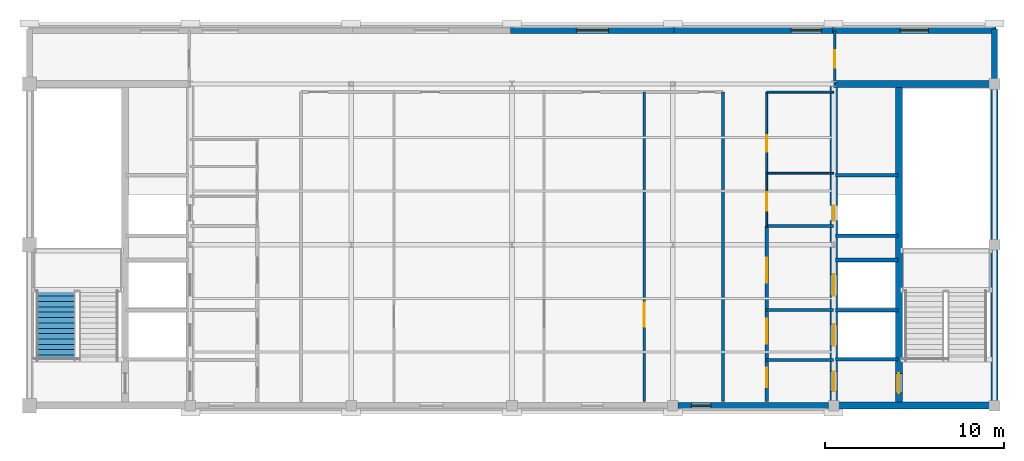
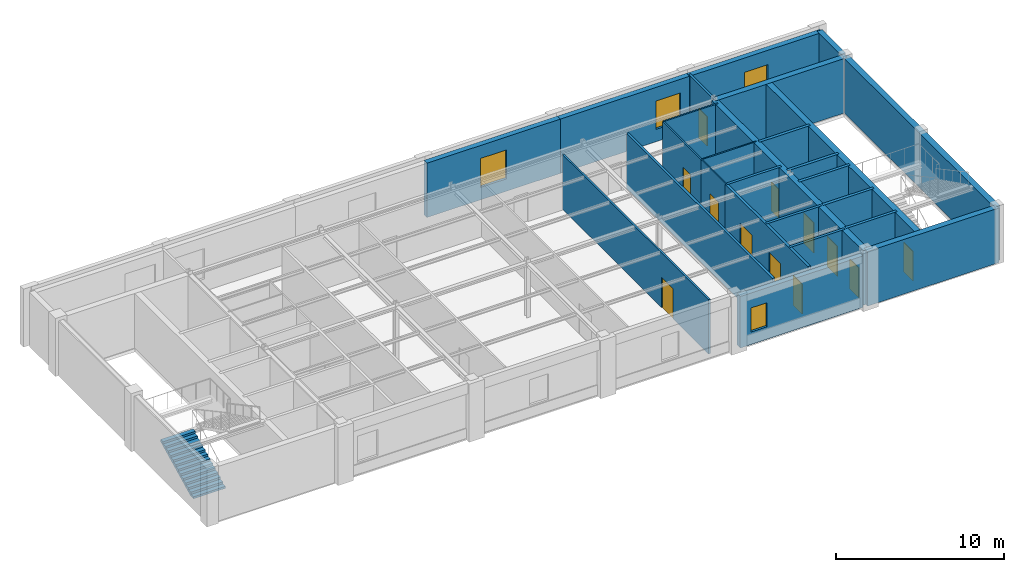
# One storey, part 5 of 7: 26 walls, 12 doors, 4 windows, 1 stair flight, 16 openings, 1 element without a shape of its own.
"""IFC4 building model written with IfcOpenShell, lengths in metres."""

from ifc_helpers import new_model, si_unit, direction, frame, frame_2d, origin, place, context, subcontext, project, spatial, polyline, rectangle, outline, extrude, material, layer, layer_set, type_object, element, fill, aggregate, save


model = new_model("IFC4")

# Units and contexts
model_context = context("Model", 3, precision=1e-05, world=origin(), true_north=direction((0.0, 1.0)))
body_context = subcontext(model_context, "Body", "Model", "MODEL_VIEW")
ifc_project = project(units=[si_unit("LENGTHUNIT", "METRE"), si_unit("AREAUNIT", "SQUARE_METRE"), si_unit("VOLUMEUNIT", "CUBIC_METRE"), si_unit("PLANEANGLEUNIT", "RADIAN"), si_unit("MASSUNIT", "GRAM", prefix="KILO")], contexts=[model_context])

# Site, building, storey
site_placement = place(None, origin())
site = spatial("IfcSite", under=ifc_project, at=site_placement, CompositionType="ELEMENT")
building_placement = place(site_placement, origin())
building = spatial("IfcBuilding", under=site, at=building_placement, Name="Lykobir Media Centre", CompositionType="ELEMENT")
storey_placement = place(building_placement, frame((0.0, 0.0, 31.800048828125)))
storey = spatial("IfcBuildingStorey", under=building, at=storey_placement, Name="L07", CompositionType="ELEMENT", Elevation=31.800048828125)

# Wall
ifc_material_1 = material(Name="Architectural Ochre Brick", Category="masonry")
ifc_layer_1 = layer(ifc_material_1, 0.360107421875, Name="Architectural Ochre Brick")
ifc_layer_set_1 = layer_set([ifc_layer_1], Name="Architectural Ochre Brick")
wall_type_1 = type_object("IfcWallType", Name="EW-BRK-360", PredefinedType="STANDARD", material=ifc_layer_set_1)
wall_1_placement = place(storey_placement, frame((81.0, 18.284912109375, 0.0), z_axis=(0.0, 0.0, 1.0), x_axis=(0.0, 1.0, 0.0)))
element("IfcWall", 1, at=wall_1_placement, inside=storey, type_object=wall_type_1, Name="Exterior wall WALL-L07-0360", PredefinedType="STANDARD", context=body_context, shape_type="SweptSolid", body=[
    extrude(rectangle(XDim=2.7900390625, YDim=0.360107421875, at=frame_2d((1.39501953125, 0.0))), origin(), (0.0, 0.0, 1.0), 3.93994140625),
])

# Wall, opening, window
wall_2_placement = place(storey_placement, frame((63.074951171875, 21.0, 0.0), z_axis=(0.0, 0.0, 1.0), x_axis=(-1.0, 0.0, 0.0)))
wall_2 = element("IfcWall", 2, at=wall_2_placement, inside=storey, type_object=wall_type_1, Name="Exterior wall WALL-L07-0364", PredefinedType="STANDARD", context=body_context, shape_type="SweptSolid", body=[
    extrude(rectangle(XDim=9.14990234375, YDim=0.360107421875, at=frame_2d((4.574951171875, 0.0))), origin(), (0.0, 0.0, 1.0), 3.93994140625),
])
opening_1_placement = place(wall_2_placement, frame((3.675048828125, 0.0, 0.89990234375)))
opening_1 = element("IfcOpeningElement", 3, at=opening_1_placement, cuts=wall_2, Name="Opening WN-1800x2100", PredefinedType="OPENING", context=body_context, shape_type="SweptSolid", body=[
    extrude(rectangle(XDim=1.800048828125, YDim=2.10009765625, at=frame_2d((0.89990234375, 1.050048828125))), frame((0.0, 0.18994140625, 0.0), z_axis=(0.0, -1.0, 0.0), x_axis=(1.0, 0.0, 0.0)), (0.0, 0.0, 1.0), 0.380126953125),
])
ifc_material_2 = material(Name="Low-E Laminated Triple Glazing", Category="glass")
window_type_1 = type_object("IfcWindowType", Name="WN-1800x2100", PartitioningType="SINGLE_PANEL", PredefinedType="WINDOW", material=ifc_material_2)
window_1_placement = place(opening_1_placement, origin())
window_1 = element("IfcWindow", 4, at=window_1_placement, inside=storey, type_object=window_type_1, Name="Window WIN-L07-0166", OverallHeight=2.10009765625, OverallWidth=1.800048828125, PartitioningType="SINGLE_PANEL", PredefinedType="WINDOW", context=body_context, shape_type="SweptSolid", body=[
    extrude(rectangle(XDim=1.800048828125, YDim=2.10009765625, at=frame_2d((0.89990234375, 1.050048828125))), frame((0.0, 0.030029296875, 0.0), z_axis=(0.0, -1.0, 0.0), x_axis=(1.0, 0.0, 0.0)), (0.0, 0.0, 1.0), 0.06005859375),
])
fill(opening_1, window_1)

wall_3_placement = place(storey_placement, frame((72.074951171875, 21.0, 0.0), z_axis=(0.0, 0.0, 1.0), x_axis=(-1.0, 0.0, 0.0)))
wall_3 = element("IfcWall", 5, at=wall_3_placement, inside=storey, type_object=wall_type_1, Name="Exterior wall WALL-L07-0365", PredefinedType="STANDARD", context=body_context, shape_type="SweptSolid", body=[
    extrude(rectangle(XDim=9.14990234375, YDim=0.360107421875, at=frame_2d((4.574951171875, 0.0))), origin(), (0.0, 0.0, 1.0), 3.93994140625),
])
opening_2_placement = place(wall_3_placement, frame((0.75, 0.0, 0.89990234375)))
opening_2 = element("IfcOpeningElement", 6, at=opening_2_placement, cuts=wall_3, Name="Opening WN-1700x2050", PredefinedType="OPENING", context=body_context, shape_type="SweptSolid", body=[
    extrude(rectangle(XDim=1.699951171875, YDim=2.050048828125, at=frame_2d((0.85009765625, 1.02490234375))), frame((0.0, 0.18994140625, 0.0), z_axis=(0.0, -1.0, 0.0), x_axis=(1.0, 0.0, 0.0)), (0.0, 0.0, 1.0), 0.380126953125),
])
window_type_2 = type_object("IfcWindowType", Name="WN-1700x2050", PartitioningType="SINGLE_PANEL", PredefinedType="WINDOW", material=ifc_material_2)
window_2_placement = place(opening_2_placement, origin())
window_2 = element("IfcWindow", 7, at=window_2_placement, inside=storey, type_object=window_type_2, Name="Window WIN-L07-0167", OverallHeight=2.050048828125, OverallWidth=1.699951171875, PartitioningType="SINGLE_PANEL", PredefinedType="WINDOW", context=body_context, shape_type="SweptSolid", body=[
    extrude(rectangle(XDim=1.699951171875, YDim=2.050048828125, at=frame_2d((0.85009765625, 1.02490234375))), frame((0.0, 0.030029296875, 0.0), z_axis=(0.0, -1.0, 0.0), x_axis=(1.0, 0.0, 0.0)), (0.0, 0.0, 1.0), 0.06005859375),
])
fill(opening_2, window_2)

wall_4_placement = place(storey_placement, frame((81.074951171875, 21.0, 0.0), z_axis=(0.0, 0.0, 1.0), x_axis=(-1.0, 0.0, 0.0)))
wall_4 = element("IfcWall", 8, at=wall_4_placement, inside=storey, type_object=wall_type_1, Name="Exterior wall WALL-L07-0366", PredefinedType="STANDARD", context=body_context, shape_type="SweptSolid", body=[
    extrude(rectangle(XDim=9.14990234375, YDim=0.360107421875, at=frame_2d((4.574951171875, 0.0))), origin(), (0.0, 0.0, 1.0), 3.93994140625),
])
opening_3_placement = place(wall_4_placement, frame((3.77490234375, 0.0, 0.89990234375)))
opening_3 = element("IfcOpeningElement", 9, at=opening_3_placement, cuts=wall_4, Name="Opening WN-1600x2000", PredefinedType="OPENING", context=body_context, shape_type="SweptSolid", body=[
    extrude(rectangle(XDim=1.60009765625, YDim=2.0, at=frame_2d((0.800048828125, 1.0))), frame((0.0, 0.18994140625, 0.0), z_axis=(0.0, -1.0, 0.0), x_axis=(1.0, 0.0, 0.0)), (0.0, 0.0, 1.0), 0.380126953125),
])
window_type_3 = type_object("IfcWindowType", Name="WN-1600x2000", PartitioningType="SINGLE_PANEL", PredefinedType="WINDOW", material=ifc_material_2)
window_3_placement = place(opening_3_placement, origin())
window_3 = element("IfcWindow", 10, at=window_3_placement, inside=storey, type_object=window_type_3, Name="Window WIN-L07-0168", OverallHeight=2.0, OverallWidth=1.60009765625, PartitioningType="SINGLE_PANEL", PredefinedType="WINDOW", context=body_context, shape_type="SweptSolid", body=[
    extrude(rectangle(XDim=1.60009765625, YDim=2.0, at=frame_2d((0.800048828125, 1.0))), frame((0.0, 0.030029296875, 0.0), z_axis=(0.0, -1.0, 0.0), x_axis=(1.0, 0.0, 0.0)), (0.0, 0.0, 1.0), 0.06005859375),
])
fill(opening_3, window_3)

wall_5_placement = place(storey_placement, frame((63.284912109375, 0.0, 0.0), z_axis=(0.0, 0.0, 1.0), x_axis=(1.0, 0.0, 0.0)))
wall_5 = element("IfcWall", 11, at=wall_5_placement, inside=storey, type_object=wall_type_1, Name="Exterior wall WALL-L07-0371", PredefinedType="STANDARD", context=body_context, shape_type="SweptSolid", body=[
    extrude(rectangle(XDim=8.43017578125, YDim=0.360107421875, at=frame_2d((4.215087890625, 0.0))), origin(), (0.0, 0.0, 1.0), 3.73486328125),
])
opening_4_placement = place(wall_5_placement, frame((0.75, 0.0, 0.89990234375)))
opening_4 = element("IfcOpeningElement", 12, at=opening_4_placement, cuts=wall_5, Name="Opening WN-1100x1750", PredefinedType="OPENING", context=body_context, shape_type="SweptSolid", body=[
    extrude(rectangle(XDim=1.10009765625, YDim=1.75, at=frame_2d((0.550048828125, 0.875))), frame((0.0, 0.18994140625, 0.0), z_axis=(0.0, -1.0, 0.0), x_axis=(1.0, 0.0, 0.0)), (0.0, 0.0, 1.0), 0.380126953125),
])
window_type_4 = type_object("IfcWindowType", Name="WN-1100x1750", PartitioningType="SINGLE_PANEL", PredefinedType="WINDOW", material=ifc_material_2)
window_4_placement = place(opening_4_placement, origin())
window_4 = element("IfcWindow", 13, at=window_4_placement, inside=storey, type_object=window_type_4, Name="Window WIN-L07-0172", OverallHeight=1.75, OverallWidth=1.10009765625, PartitioningType="SINGLE_PANEL", PredefinedType="WINDOW", context=body_context, shape_type="SweptSolid", body=[
    extrude(rectangle(XDim=1.10009765625, YDim=1.75, at=frame_2d((0.550048828125, 0.875))), frame((0.0, 0.030029296875, 0.0), z_axis=(0.0, -1.0, 0.0), x_axis=(1.0, 0.0, 0.0)), (0.0, 0.0, 1.0), 0.06005859375),
])
fill(opening_4, window_4)

# Wall, opening, door
ifc_material_3 = material(Name="Acoustic Gypsum Board", Category="gypsum")
ifc_layer_2 = layer(ifc_material_3, 0.14501953125, Name="Acoustic Gypsum Board")
ifc_layer_set_2 = layer_set([ifc_layer_2], Name="Acoustic Gypsum Board")
wall_type_2 = type_object("IfcWallType", Name="IW-COR-145", PredefinedType="PARTITIONING", material=ifc_layer_set_2)
wall_6_placement = place(storey_placement, frame((72.050048828125, 18.0, 0.0), z_axis=(0.0, 0.0, 1.0), x_axis=(0.0, 1.0, 0.0)))
wall_6 = element("IfcWall", 14, at=wall_6_placement, inside=storey, type_object=wall_type_2, Name="Wall IWALL-L07-0787", PredefinedType="PARTITIONING", context=body_context, shape_type="SweptSolid", body=[
    extrude(rectangle(XDim=3.0, YDim=0.14501953125, at=frame_2d((1.5, 0.0))), origin(), (0.0, 0.0, 1.0), 3.9599609375),
])
opening_5_placement = place(wall_6_placement, frame((0.89990234375, 0.0, 0.0)))
opening_5 = element("IfcOpeningElement", 15, at=opening_5_placement, cuts=wall_6, Name="Opening D-L07-ENDE", PredefinedType="OPENING", context=body_context, shape_type="SweptSolid", body=[
    extrude(rectangle(XDim=1.0, YDim=2.139892578125, at=frame_2d((0.5, 1.06982421875))), frame((0.0, 0.08251953125, 0.0), z_axis=(0.0, -1.0, 0.0), x_axis=(1.0, 0.0, 0.0)), (0.0, 0.0, 1.0), 0.1650390625),
])
ifc_material_4 = material(Name="Acoustic Timber Panelling", Category="wood")
door_type_1 = type_object("IfcDoorType", Name="FD-1000x2140", OperationType="NOTDEFINED", PredefinedType="DOOR", material=ifc_material_4)
door_1_placement = place(opening_5_placement, origin())
door_1 = element("IfcDoor", 16, at=door_1_placement, inside=storey, type_object=door_type_1, Name="Door D-L07-ENDE", OperationType="SINGLE_SWING_LEFT", OverallHeight=2.139892578125, OverallWidth=1.0, PredefinedType="DOOR", context=body_context, shape_type="SweptSolid", body=[
    extrude(rectangle(XDim=1.0, YDim=2.139892578125, at=frame_2d((0.5, 1.06982421875))), frame((0.0, 0.02490234375, 0.0), z_axis=(0.0, -1.0, 0.0), x_axis=(1.0, 0.0, 0.0)), (0.0, 0.0, 1.0), 0.050048828125),
])
fill(opening_5, door_1)

# Wall
ifc_layer_3 = layer(ifc_material_3, 0.159912109375, Name="Acoustic Gypsum Board")
ifc_layer_set_3 = layer_set([ifc_layer_3], Name="Acoustic Gypsum Board")
wall_type_3 = type_object("IfcWallType", Name="IW-COR-160", PredefinedType="PARTITIONING", material=ifc_layer_set_3)
wall_7_placement = place(storey_placement, frame((65.800048828125, 0.219970703125, 0.0), z_axis=(0.0, 0.0, 1.0), x_axis=(0.0, 1.0, 0.0)))
element("IfcWall", 17, at=wall_7_placement, inside=storey, type_object=wall_type_3, Name="Wall IWALL-L07-0782", PredefinedType="PARTITIONING", context=body_context, shape_type="SweptSolid", body=[
    extrude(rectangle(XDim=17.330078125, YDim=0.159912109375, at=frame_2d((8.6650390625, 0.0))), origin(), (0.0, 0.0, 1.0), 3.9599609375),
])

# Wall, openings, doors
ifc_layer_4 = layer(ifc_material_3, 0.179931640625, Name="Acoustic Gypsum Board")
ifc_layer_set_4 = layer_set([ifc_layer_4], Name="Acoustic Gypsum Board")
wall_type_4 = type_object("IfcWallType", Name="IW-FFLOB-180", PredefinedType="PARTITIONING", material=ifc_layer_set_4)
wall_8_placement = place(storey_placement, frame((68.25, 0.219970703125, 0.0), z_axis=(0.0, 0.0, 1.0), x_axis=(0.0, 1.0, 0.0)))
wall_8 = element("IfcWall", 18, at=wall_8_placement, inside=storey, type_object=wall_type_4, Name="Wall IWALL-L07-0321", PredefinedType="PARTITIONING", context=body_context, shape_type="SweptSolid", body=[
    extrude(rectangle(XDim=9.830078125, YDim=0.179931640625, at=frame_2d((4.9150390625, 0.0))), origin(), (0.0, 0.0, 1.0), 3.9599609375),
])
opening_6_placement = place(wall_8_placement, frame((0.800048828125, 0.0, 0.0)))
opening_6 = element("IfcOpeningElement", 19, at=opening_6_placement, cuts=wall_8, Name="Opening D-L07-C2LV", PredefinedType="OPENING", context=body_context, shape_type="SweptSolid", body=[
    extrude(rectangle(XDim=1.10009765625, YDim=2.159912109375, at=frame_2d((0.550048828125, 1.080078125))), frame((0.0, 0.099853515625, 0.0), z_axis=(0.0, -1.0, 0.0), x_axis=(1.0, 0.0, 0.0)), (0.0, 0.0, 1.0), 0.199951171875),
])
opening_7_placement = place(wall_8_placement, frame((3.25, 0.0, 0.0)))
opening_7 = element("IfcOpeningElement", 20, at=opening_7_placement, cuts=wall_8, Name="Opening D-L07-C2PL", PredefinedType="OPENING", context=body_context, shape_type="SweptSolid", body=[
    extrude(rectangle(XDim=1.39990234375, YDim=2.199951171875, at=frame_2d((0.699951171875, 1.10009765625))), frame((0.0, 0.099853515625, 0.0), z_axis=(0.0, -1.0, 0.0), x_axis=(1.0, 0.0, 0.0)), (0.0, 0.0, 1.0), 0.199951171875),
])
opening_8_placement = place(wall_8_placement, frame((6.64990234375, 0.0, 0.0)))
opening_8 = element("IfcOpeningElement", 21, at=opening_8_placement, cuts=wall_8, Name="Opening D-L07-C2FF", PredefinedType="OPENING", context=body_context, shape_type="SweptSolid", body=[
    extrude(rectangle(XDim=1.39990234375, YDim=2.199951171875, at=frame_2d((0.699951171875, 1.10009765625))), frame((0.0, 0.099853515625, 0.0), z_axis=(0.0, -1.0, 0.0), x_axis=(1.0, 0.0, 0.0)), (0.0, 0.0, 1.0), 0.199951171875),
])
door_type_2 = type_object("IfcDoorType", Name="FD-1100x2160", OperationType="NOTDEFINED", PredefinedType="DOOR", material=ifc_material_4)
door_2_placement = place(opening_6_placement, origin())
door_2 = element("IfcDoor", 22, at=door_2_placement, inside=storey, type_object=door_type_2, Name="Door D-L07-C2LV", OperationType="SINGLE_SWING_LEFT", OverallHeight=2.159912109375, OverallWidth=1.10009765625, PredefinedType="DOOR", context=body_context, shape_type="SweptSolid", body=[
    extrude(rectangle(XDim=1.10009765625, YDim=2.159912109375, at=frame_2d((0.550048828125, 1.080078125))), frame((0.0, 0.02490234375, 0.0), z_axis=(0.0, -1.0, 0.0), x_axis=(1.0, 0.0, 0.0)), (0.0, 0.0, 1.0), 0.050048828125),
])
fill(opening_6, door_2)
door_type_3 = type_object("IfcDoorType", Name="FD-1400x2200", OperationType="NOTDEFINED", PredefinedType="DOOR", material=ifc_material_4)
door_3_placement = place(opening_7_placement, origin())
door_3 = element("IfcDoor", 23, at=door_3_placement, inside=storey, type_object=door_type_3, Name="Door D-L07-C2PL", OperationType="DOUBLE_DOOR_SINGLE_SWING", OverallHeight=2.199951171875, OverallWidth=1.39990234375, PredefinedType="DOOR", context=body_context, shape_type="SweptSolid", body=[
    extrude(rectangle(XDim=1.39990234375, YDim=2.199951171875, at=frame_2d((0.699951171875, 1.10009765625))), frame((0.0, 0.02490234375, 0.0), z_axis=(0.0, -1.0, 0.0), x_axis=(1.0, 0.0, 0.0)), (0.0, 0.0, 1.0), 0.050048828125),
])
fill(opening_7, door_3)
door_4_placement = place(opening_8_placement, origin())
door_4 = element("IfcDoor", 24, at=door_4_placement, inside=storey, type_object=door_type_3, Name="Door D-L07-C2FF", OperationType="DOUBLE_DOOR_SINGLE_SWING", OverallHeight=2.199951171875, OverallWidth=1.39990234375, PredefinedType="DOOR", context=body_context, shape_type="SweptSolid", body=[
    extrude(rectangle(XDim=1.39990234375, YDim=2.199951171875, at=frame_2d((0.699951171875, 1.10009765625))), frame((0.0, 0.02490234375, 0.0), z_axis=(0.0, -1.0, 0.0), x_axis=(1.0, 0.0, 0.0)), (0.0, 0.0, 1.0), 0.050048828125),
])
fill(opening_8, door_4)

# Walls
for number, where, z_axis, x_axis, name in (
    (25, (68.25, 2.550048828125, 0.0), (0.0, 0.0, 1.0), (1.0, 0.0, 0.0), "Wall IWALL-L07-0322"),
    (26, (68.25, 5.35009765625, 0.0), (0.0, 0.0, 1.0), (1.0, 0.0, 0.0), "Wall IWALL-L07-0323"),
    (27, (68.25, 10.050048828125, 0.0), (0.0, 0.0, 1.0), (1.0, 0.0, 0.0), "Wall IWALL-L07-0324"),
):
    element("IfcWall", number, at=place(storey_placement, frame(where, z_axis=z_axis, x_axis=x_axis)), inside=storey, type_object=wall_type_4, Name=name, PredefinedType="PARTITIONING", context=body_context, shape_type="SweptSolid", body=[
        extrude(rectangle(XDim=3.75, YDim=0.179931640625, at=frame_2d((1.875, 0.0))), origin(), (0.0, 0.0, 1.0), 3.9599609375),
    ])

# Wall, opening, door
ifc_layer_5 = layer(ifc_material_3, 0.110107421875, Name="Acoustic Gypsum Board")
ifc_layer_set_5 = layer_set([ifc_layer_5], Name="Acoustic Gypsum Board")
wall_type_5 = type_object("IfcWallType", Name="IW-RM-110", PredefinedType="PARTITIONING", material=ifc_layer_set_5)
wall_9_placement = place(storey_placement, frame((68.25, 13.0, 0.0), z_axis=(0.0, 0.0, 1.0), x_axis=(0.0, 1.0, 0.0)))
wall_9 = element("IfcWall", 28, at=wall_9_placement, inside=storey, type_object=wall_type_5, Name="Wall IWALL-L07-0788", PredefinedType="PARTITIONING", context=body_context, shape_type="SweptSolid", body=[
    extrude(rectangle(XDim=4.550048828125, YDim=0.110107421875, at=frame_2d((2.27490234375, 0.0))), origin(), (0.0, 0.0, 1.0), 3.9599609375),
])
opening_9_placement = place(wall_9_placement, frame((1.199951171875, 0.0, 0.0)))
opening_9 = element("IfcOpeningElement", 29, at=opening_9_placement, cuts=wall_9, Name="Opening D-L07-UP5", PredefinedType="OPENING", context=body_context, shape_type="SweptSolid", body=[
    extrude(rectangle(XDim=0.919921875, YDim=2.10009765625, at=frame_2d((0.4599609375, 1.050048828125))), frame((0.0, 0.06494140625, 0.0), z_axis=(0.0, -1.0, 0.0), x_axis=(1.0, 0.0, 0.0)), (0.0, 0.0, 1.0), 0.130126953125),
])
door_type_4 = type_object("IfcDoorType", Name="ID-0920x2100", OperationType="NOTDEFINED", PredefinedType="DOOR", material=ifc_material_4)
door_5_placement = place(opening_9_placement, origin())
door_5 = element("IfcDoor", 30, at=door_5_placement, inside=storey, type_object=door_type_4, Name="Door D-L07-UP5", OperationType="SINGLE_SWING_RIGHT", OverallHeight=2.10009765625, OverallWidth=0.919921875, PredefinedType="DOOR", context=body_context, shape_type="SweptSolid", body=[
    extrude(rectangle(XDim=0.919921875, YDim=2.10009765625, at=frame_2d((0.4599609375, 1.050048828125))), frame((0.0, 0.02490234375, 0.0), z_axis=(0.0, -1.0, 0.0), x_axis=(1.0, 0.0, 0.0)), (0.0, 0.0, 1.0), 0.050048828125),
])
fill(opening_9, door_5)

# Wall
wall_10_placement = place(storey_placement, frame((68.25, 17.550048828125, 0.0), z_axis=(0.0, 0.0, 1.0), x_axis=(1.0, 0.0, 0.0)))
element("IfcWall", 31, at=wall_10_placement, inside=storey, type_object=wall_type_5, Name="Wall IWALL-L07-0789", PredefinedType="PARTITIONING", context=body_context, shape_type="SweptSolid", body=[
    extrude(rectangle(XDim=3.75, YDim=0.110107421875, at=frame_2d((1.875, 0.0))), origin(), (0.0, 0.0, 1.0), 3.9599609375),
])

# Wall, opening, door
ifc_layer_6 = layer(ifc_material_3, 0.125, Name="Acoustic Gypsum Board")
ifc_layer_set_6 = layer_set([ifc_layer_6], Name="Acoustic Gypsum Board")
wall_type_6 = type_object("IfcWallType", Name="IW-RM-125", PredefinedType="PARTITIONING", material=ifc_layer_set_6)
wall_11_placement = place(storey_placement, frame((61.39990234375, 0.219970703125, 0.0), z_axis=(0.0, 0.0, 1.0), x_axis=(0.0, 1.0, 0.0)))
wall_11 = element("IfcWall", 32, at=wall_11_placement, inside=storey, type_object=wall_type_6, Name="Wall IWALL-L07-0785", PredefinedType="PARTITIONING", context=body_context, shape_type="SweptSolid", body=[
    extrude(rectangle(XDim=17.330078125, YDim=0.125, at=frame_2d((8.6650390625, 0.0))), origin(), (0.0, 0.0, 1.0), 3.9599609375),
])
opening_10_placement = place(wall_11_placement, frame((4.199951171875, 0.0, 0.0)))
opening_10 = element("IfcOpeningElement", 33, at=opening_10_placement, cuts=wall_11, Name="Opening D-L07-V7S3", PredefinedType="OPENING", context=body_context, shape_type="SweptSolid", body=[
    extrude(rectangle(XDim=1.35009765625, YDim=2.179931640625, at=frame_2d((0.675048828125, 1.08984375))), frame((0.0, 0.072509765625, 0.0), z_axis=(0.0, -1.0, 0.0), x_axis=(1.0, 0.0, 0.0)), (0.0, 0.0, 1.0), 0.14501953125),
])
door_type_5 = type_object("IfcDoorType", Name="ID-1350x2180", OperationType="NOTDEFINED", PredefinedType="DOOR", material=ifc_material_4)
door_6_placement = place(opening_10_placement, origin())
door_6 = element("IfcDoor", 34, at=door_6_placement, inside=storey, type_object=door_type_5, Name="Door D-L07-V7S3", OperationType="SINGLE_SWING_RIGHT", OverallHeight=2.179931640625, OverallWidth=1.35009765625, PredefinedType="DOOR", context=body_context, shape_type="SweptSolid", body=[
    extrude(rectangle(XDim=1.35009765625, YDim=2.179931640625, at=frame_2d((0.675048828125, 1.08984375))), frame((0.0, 0.02490234375, 0.0), z_axis=(0.0, -1.0, 0.0), x_axis=(1.0, 0.0, 0.0)), (0.0, 0.0, 1.0), 0.050048828125),
])
fill(opening_10, door_6)

# Walls
ifc_material_5 = material(Name="Concrete C30/37", Category="concrete")
ifc_layer_7 = layer(ifc_material_5, 0.199951171875, Name="Concrete C30/37")
ifc_layer_set_7 = layer_set([ifc_layer_7], Name="Concrete C30/37")
wall_type_7 = type_object("IfcWallType", Name="IW-SHAFT-200", PredefinedType="PARTITIONING", material=ifc_layer_set_7)
for number, where, z_axis, x_axis, name in (
    (35, (72.10009765625, 2.60009765625, 0.0), (0.0, 0.0, 1.0), (1.0, 0.0, 0.0), "Wall IWALL-L07-0316"),
    (36, (72.10009765625, 5.35009765625, 0.0), (0.0, 0.0, 1.0), (1.0, 0.0, 0.0), "Wall IWALL-L07-0317"),
    (37, (72.10009765625, 8.14990234375, 0.0), (0.0, 0.0, 1.0), (1.0, 0.0, 0.0), "Wall IWALL-L07-0318"),
    (38, (72.10009765625, 9.5, 0.0), (0.0, 0.0, 1.0), (1.0, 0.0, 0.0), "Wall IWALL-L07-0319"),
    (39, (72.10009765625, 12.89990234375, 0.0), (0.0, 0.0, 1.0), (1.0, 0.0, 0.0), "Wall IWALL-L07-0320"),
):
    element("IfcWall", number, at=place(storey_placement, frame(where, z_axis=z_axis, x_axis=x_axis)), inside=storey, type_object=wall_type_7, Name=name, PredefinedType="PARTITIONING", context=body_context, shape_type="SweptSolid", body=[
        extrude(rectangle(XDim=3.5, YDim=0.199951171875, at=frame_2d((1.75, 0.0))), origin(), (0.0, 0.0, 1.0), 3.9599609375),
    ])

# Wall, opening, door
ifc_layer_8 = layer(ifc_material_3, 0.094970703125, Name="Acoustic Gypsum Board")
ifc_layer_set_8 = layer_set([ifc_layer_8], Name="Acoustic Gypsum Board")
wall_type_8 = type_object("IfcWallType", Name="IW-WC-095", PredefinedType="PARTITIONING", material=ifc_layer_set_8)
wall_12_placement = place(storey_placement, frame((68.25, 10.050048828125, 0.0), z_axis=(0.0, 0.0, 1.0), x_axis=(0.0, 1.0, 0.0)))
wall_12 = element("IfcWall", 40, at=wall_12_placement, inside=storey, type_object=wall_type_8, Name="Wall IWALL-L07-0325", PredefinedType="PARTITIONING", context=body_context, shape_type="SweptSolid", body=[
    extrude(rectangle(XDim=2.949951171875, YDim=0.094970703125, at=frame_2d((1.47509765625, 0.0))), origin(), (0.0, 0.0, 1.0), 3.9599609375),
])
opening_11_placement = place(wall_12_placement, frame((0.85009765625, 0.0, 0.0)))
opening_11 = element("IfcOpeningElement", 41, at=opening_11_placement, cuts=wall_12, Name="Opening D-L07-WCA2", PredefinedType="OPENING", context=body_context, shape_type="SweptSolid", body=[
    extrude(rectangle(XDim=1.050048828125, YDim=2.1298828125, at=frame_2d((0.52490234375, 1.06494140625))), frame((0.0, 0.057373046875, 0.0), z_axis=(0.0, -1.0, 0.0), x_axis=(1.0, 0.0, 0.0)), (0.0, 0.0, 1.0), 0.114990234375),
])
door_type_6 = type_object("IfcDoorType", Name="ID-1050x2130", OperationType="NOTDEFINED", PredefinedType="DOOR", material=ifc_material_4)
door_7_placement = place(opening_11_placement, origin())
door_7 = element("IfcDoor", 42, at=door_7_placement, inside=storey, type_object=door_type_6, Name="Door D-L07-WCA2", OperationType="SINGLE_SWING_RIGHT", OverallHeight=2.1298828125, OverallWidth=1.050048828125, PredefinedType="DOOR", context=body_context, shape_type="SweptSolid", body=[
    extrude(rectangle(XDim=1.050048828125, YDim=2.1298828125, at=frame_2d((0.52490234375, 1.06494140625))), frame((0.0, 0.02490234375, 0.0), z_axis=(0.0, -1.0, 0.0), x_axis=(1.0, 0.0, 0.0)), (0.0, 0.0, 1.0), 0.050048828125),
])
fill(opening_11, door_7)

# Wall
wall_13_placement = place(storey_placement, frame((68.25, 13.0, 0.0), z_axis=(0.0, 0.0, 1.0), x_axis=(1.0, 0.0, 0.0)))
element("IfcWall", 43, at=wall_13_placement, inside=storey, type_object=wall_type_8, Name="Wall IWALL-L07-0326", PredefinedType="PARTITIONING", context=body_context, shape_type="SweptSolid", body=[
    extrude(rectangle(XDim=3.75, YDim=0.094970703125, at=frame_2d((1.875, 0.0))), origin(), (0.0, 0.0, 1.0), 3.9599609375),
])

# Wall, openings, doors
ifc_material_6 = material(Name="Concrete C40/50", Category="concrete")
ifc_layer_9 = layer(ifc_material_6, 0.39990234375, Name="Concrete C40/50")
ifc_layer_set_9 = layer_set([ifc_layer_9], Name="Concrete C40/50")
wall_type_9 = type_object("IfcWallType", Name="SW-CORE-400", PredefinedType="SHEAR", material=ifc_layer_set_9)
wall_14_placement = place(storey_placement, frame((72.0, 18.0, 0.0), z_axis=(0.0, 0.0, 1.0), x_axis=(0.0, -1.0, 0.0)))
wall_14 = element("IfcWall", 44, at=wall_14_placement, inside=storey, type_object=wall_type_9, Name="Wall IWALL-L07-0314", PredefinedType="SHEAR", context=body_context, shape_type="SweptSolid", body=[
    extrude(rectangle(XDim=18.0, YDim=0.39990234375, at=frame_2d((9.0, 0.0))), origin(), (0.0, 0.0, 1.0), 3.9599609375),
])
opening_12_placement = place(wall_14_placement, frame((16.10009765625, 0.0, 0.0)))
opening_12 = element("IfcOpeningElement", 45, at=opening_12_placement, cuts=wall_14, Name="Opening D-L07-C2VB", PredefinedType="OPENING", context=body_context, shape_type="SweptSolid", body=[
    extrude(rectangle(XDim=1.10009765625, YDim=2.159912109375, at=frame_2d((0.550048828125, 1.080078125))), frame((0.0, 0.2099609375, 0.0), z_axis=(0.0, -1.0, 0.0), x_axis=(1.0, 0.0, 0.0)), (0.0, 0.0, 1.0), 0.419921875),
])
opening_13_placement = place(wall_14_placement, frame((13.449951171875, 0.0, 0.0)))
opening_13 = element("IfcOpeningElement", 46, at=opening_13_placement, cuts=wall_14, Name="Opening LD-L07-PL-2", PredefinedType="OPENING", context=body_context, shape_type="SweptSolid", body=[
    extrude(rectangle(XDim=1.199951171875, YDim=2.199951171875, at=frame_2d((0.60009765625, 1.10009765625))), frame((0.0, 0.2099609375, 0.0), z_axis=(0.0, -1.0, 0.0), x_axis=(1.0, 0.0, 0.0)), (0.0, 0.0, 1.0), 0.419921875),
])
opening_14_placement = place(wall_14_placement, frame((10.64990234375, 0.0, 0.0)))
opening_14 = element("IfcOpeningElement", 47, at=opening_14_placement, cuts=wall_14, Name="Opening LD-L07-FL-2", PredefinedType="OPENING", context=body_context, shape_type="SweptSolid", body=[
    extrude(rectangle(XDim=1.199951171875, YDim=2.199951171875, at=frame_2d((0.60009765625, 1.10009765625))), frame((0.0, 0.2099609375, 0.0), z_axis=(0.0, -1.0, 0.0), x_axis=(1.0, 0.0, 0.0)), (0.0, 0.0, 1.0), 0.419921875),
])
opening_15_placement = place(wall_14_placement, frame((6.800048828125, 0.0, 0.0)))
opening_15 = element("IfcOpeningElement", 48, at=opening_15_placement, cuts=wall_14, Name="Opening D-L07-C2RS", PredefinedType="OPENING", context=body_context, shape_type="SweptSolid", body=[
    extrude(rectangle(XDim=0.85009765625, YDim=2.10009765625, at=frame_2d((0.425048828125, 1.050048828125))), frame((0.0, 0.2099609375, 0.0), z_axis=(0.0, -1.0, 0.0), x_axis=(1.0, 0.0, 0.0)), (0.0, 0.0, 1.0), 0.419921875),
])
ifc_material_7 = material(Name="Anodized Aluminium AW-6060", Category="aluminium")
door_type_7 = type_object("IfcDoorType", Name="FD-0850x2100", OperationType="NOTDEFINED", PredefinedType="DOOR", material=ifc_material_7)
door_8_placement = place(opening_15_placement, origin())
door_8 = element("IfcDoor", 49, at=door_8_placement, inside=storey, type_object=door_type_7, Name="Riser access door C2 L07", OperationType="SINGLE_SWING_RIGHT", OverallHeight=2.10009765625, OverallWidth=0.85009765625, PredefinedType="DOOR", context=body_context, shape_type="SweptSolid", body=[
    extrude(rectangle(XDim=0.85009765625, YDim=2.10009765625, at=frame_2d((0.425048828125, 1.050048828125))), frame((0.0, 0.02490234375, 0.0), z_axis=(0.0, -1.0, 0.0), x_axis=(1.0, 0.0, 0.0)), (0.0, 0.0, 1.0), 0.050048828125),
])
fill(opening_15, door_8)
door_9_placement = place(opening_12_placement, origin())
door_9 = element("IfcDoor", 50, at=door_9_placement, inside=storey, type_object=door_type_2, Name="Door D-L07-C2VB", OperationType="SINGLE_SWING_LEFT", OverallHeight=2.159912109375, OverallWidth=1.10009765625, PredefinedType="DOOR", context=body_context, shape_type="SweptSolid", body=[
    extrude(rectangle(XDim=1.10009765625, YDim=2.159912109375, at=frame_2d((0.550048828125, 1.080078125))), frame((0.0, 0.02490234375, 0.0), z_axis=(0.0, -1.0, 0.0), x_axis=(1.0, 0.0, 0.0)), (0.0, 0.0, 1.0), 0.050048828125),
])
fill(opening_12, door_9)
door_type_8 = type_object("IfcDoorType", Name="LD-1200x2200", OperationType="NOTDEFINED", PredefinedType="DOOR", material=ifc_material_7)
door_10_placement = place(opening_13_placement, origin())
door_10 = element("IfcDoor", 51, at=door_10_placement, inside=storey, type_object=door_type_8, Name="Lift landing door PL-2 L07", OperationType="SLIDING_TO_LEFT", OverallHeight=2.199951171875, OverallWidth=1.199951171875, PredefinedType="DOOR", context=body_context, shape_type="SweptSolid", body=[
    extrude(rectangle(XDim=1.199951171875, YDim=2.199951171875, at=frame_2d((0.60009765625, 1.10009765625))), frame((0.0, 0.02490234375, 0.0), z_axis=(0.0, -1.0, 0.0), x_axis=(1.0, 0.0, 0.0)), (0.0, 0.0, 1.0), 0.050048828125),
])
fill(opening_13, door_10)
door_11_placement = place(opening_14_placement, origin())
door_11 = element("IfcDoor", 52, at=door_11_placement, inside=storey, type_object=door_type_8, Name="Firefighting lift landing door FL-2 L07", OperationType="SLIDING_TO_LEFT", OverallHeight=2.199951171875, OverallWidth=1.199951171875, PredefinedType="DOOR", context=body_context, shape_type="SweptSolid", body=[
    extrude(rectangle(XDim=1.199951171875, YDim=2.199951171875, at=frame_2d((0.60009765625, 1.10009765625))), frame((0.0, 0.02490234375, 0.0), z_axis=(0.0, -1.0, 0.0), x_axis=(1.0, 0.0, 0.0)), (0.0, 0.0, 1.0), 0.050048828125),
])
fill(opening_14, door_11)

# Wall, opening, door
wall_15_placement = place(storey_placement, frame((75.64990234375, 0.0, 0.0), z_axis=(0.0, 0.0, 1.0), x_axis=(0.0, 1.0, 0.0)))
wall_15 = element("IfcWall", 53, at=wall_15_placement, inside=storey, type_object=wall_type_9, Name="Wall IWALL-L07-0315", PredefinedType="SHEAR", context=body_context, shape_type="SweptSolid", body=[
    extrude(rectangle(XDim=18.0, YDim=0.39990234375, at=frame_2d((9.0, 0.0))), origin(), (0.0, 0.0, 1.0), 3.9599609375),
])
opening_16_placement = place(wall_15_placement, frame((0.699951171875, 0.0, 0.0)))
opening_16 = element("IfcOpeningElement", 54, at=opening_16_placement, cuts=wall_15, Name="Opening D-L07-C2ST", PredefinedType="OPENING", context=body_context, shape_type="SweptSolid", body=[
    extrude(rectangle(XDim=1.10009765625, YDim=2.159912109375, at=frame_2d((0.550048828125, 1.080078125))), frame((0.0, 0.2099609375, 0.0), z_axis=(0.0, -1.0, 0.0), x_axis=(1.0, 0.0, 0.0)), (0.0, 0.0, 1.0), 0.419921875),
])
door_12_placement = place(opening_16_placement, origin())
door_12 = element("IfcDoor", 55, at=door_12_placement, inside=storey, type_object=door_type_2, Name="L07 ST-2 stairwell fire door", OperationType="SINGLE_SWING_RIGHT", OverallHeight=2.159912109375, OverallWidth=1.10009765625, PredefinedType="DOOR", context=body_context, shape_type="SweptSolid", body=[
    extrude(rectangle(XDim=1.10009765625, YDim=2.159912109375, at=frame_2d((0.550048828125, 1.080078125))), frame((0.0, 0.02490234375, 0.0), z_axis=(0.0, -1.0, 0.0), x_axis=(1.0, 0.0, 0.0)), (0.0, 0.0, 1.0), 0.050048828125),
])
fill(opening_16, door_12)

# Walls
ifc_layer_10 = layer(ifc_material_6, 0.39990234375, Name="Concrete C40/50")
ifc_layer_set_10 = layer_set([ifc_layer_10], Name="Concrete C40/50")
wall_type_10 = type_object("IfcWallType", Name="SW-CORE-400-E", PredefinedType="SHEAR", material=ifc_layer_set_10)
wall_16_placement = place(storey_placement, frame((72.0, 0.0, 0.0), z_axis=(0.0, 0.0, 1.0), x_axis=(1.0, 0.0, 0.0)))
element("IfcWall", 56, at=wall_16_placement, inside=storey, type_object=wall_type_10, Name="Wall IWALL-L07-0311", PredefinedType="SHEAR", context=body_context, shape_type="SweptSolid", body=[
    extrude(rectangle(XDim=9.0, YDim=0.39990234375, at=frame_2d((4.5, 0.0))), origin(), (0.0, 0.0, 1.0), 3.9599609375),
])
wall_17_placement = place(storey_placement, frame((81.0, 0.0, 0.0), z_axis=(0.0, 0.0, 1.0), x_axis=(0.0, 1.0, 0.0)))
element("IfcWall", 57, at=wall_17_placement, inside=storey, type_object=wall_type_10, Name="Wall IWALL-L07-0312", PredefinedType="SHEAR", context=body_context, shape_type="SweptSolid", body=[
    extrude(rectangle(XDim=18.0, YDim=0.39990234375, at=frame_2d((9.0, 0.0))), origin(), (0.0, 0.0, 1.0), 3.9599609375),
])
wall_18_placement = place(storey_placement, frame((81.0, 18.0, 0.0), z_axis=(0.0, 0.0, 1.0), x_axis=(-1.0, 0.0, 0.0)))
element("IfcWall", 58, at=wall_18_placement, inside=storey, type_object=wall_type_10, Name="Wall IWALL-L07-0313", PredefinedType="SHEAR", context=body_context, shape_type="SweptSolid", body=[
    extrude(rectangle(XDim=9.0, YDim=0.39990234375, at=frame_2d((4.5, 0.0))), origin(), (0.0, 0.0, 1.0), 3.9599609375),
])

# Stair, stair flight
stair_type = type_object("IfcStairType", Name="ST-HT-420", PredefinedType="HALF_TURN_STAIR", material=ifc_material_5)
stair_placement = place(storey_placement, origin())
stair = element("IfcStair", 59, at=stair_placement, inside=storey, type_object=stair_type, Name="Escape stair ST-1 L07", PredefinedType="HALF_TURN_STAIR")
ifc_layer_11 = layer(ifc_material_5, 0.14990234375, Name="Concrete C30/37")
ifc_layer_set_11 = layer_set([ifc_layer_11], Name="Concrete C30/37")
stair_flight_type = type_object("IfcStairFlightType", Name="FL-220-14", PredefinedType="STRAIGHT", material=ifc_layer_set_11)
stair_flight_placement = place(storey_placement, frame((28.469970703125, 2.530029296875, 0.0), z_axis=(0.0, 0.0, 1.0), x_axis=(0.0, 1.0, 0.0)))
stair_flight = element("IfcStairFlight", 60, at=stair_flight_placement, type_object=stair_flight_type, Name="ST-1-L07 flight 1", NumberOfRisers=14, NumberOfTreads=13, PredefinedType="STRAIGHT", RiserHeight=0.15, TreadLength=0.3, context=body_context, shape_type="SweptSolid", body=[
    extrude(outline(polyline([(0.0, 0.0), (0.0, 0.14990234375), (0.300048828125, 0.14990234375), (0.300048828125, 0.300048828125), (0.60009765625, 0.300048828125), (0.60009765625, 0.449951171875), (0.89990234375, 0.449951171875), (0.89990234375, 0.60009765625), (1.199951171875, 0.60009765625), (1.199951171875, 0.75), (1.5, 0.75), (1.5, 0.89990234375), (1.800048828125, 0.89990234375), (1.800048828125, 1.050048828125), (2.10009765625, 1.050048828125), (2.10009765625, 1.199951171875), (2.39990234375, 1.199951171875), (2.39990234375, 1.35009765625), (2.699951171875, 1.35009765625), (2.699951171875, 1.5), (3.0, 1.5), (3.0, 1.64990234375), (3.300048828125, 1.64990234375), (3.300048828125, 1.800048828125), (3.60009765625, 1.800048828125), (3.60009765625, 1.949951171875), (3.89990234375, 1.949951171875), (3.89990234375, 2.10009765625), (3.89990234375, 1.771240234375), (0.357666015625, 0.0), (0.0, 0.0)])), frame((0.0, 1.10009765625, 0.0), z_axis=(0.0, -1.0, 0.0), x_axis=(1.0, 0.0, 0.0)), (0.0, 0.0, 1.0), 2.199951171875),
])
aggregate(stair, [stair_flight])

save(model, "model.ifc")
